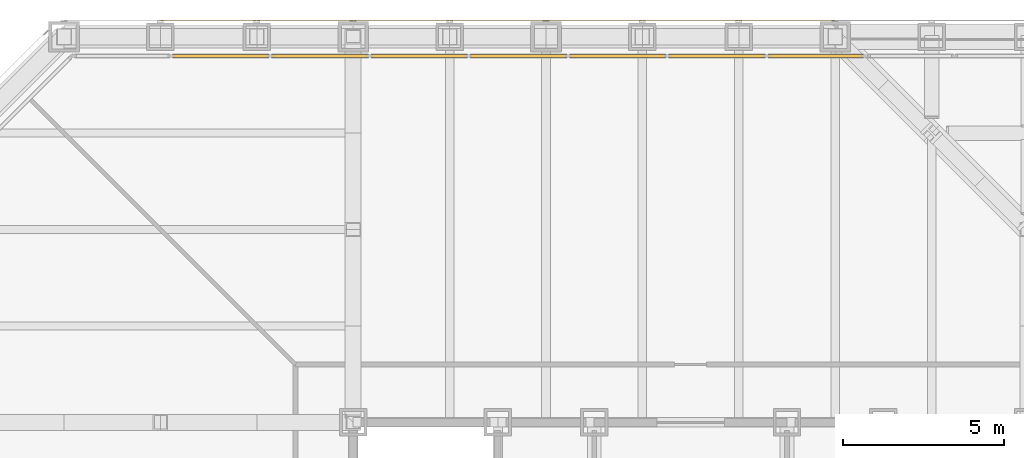
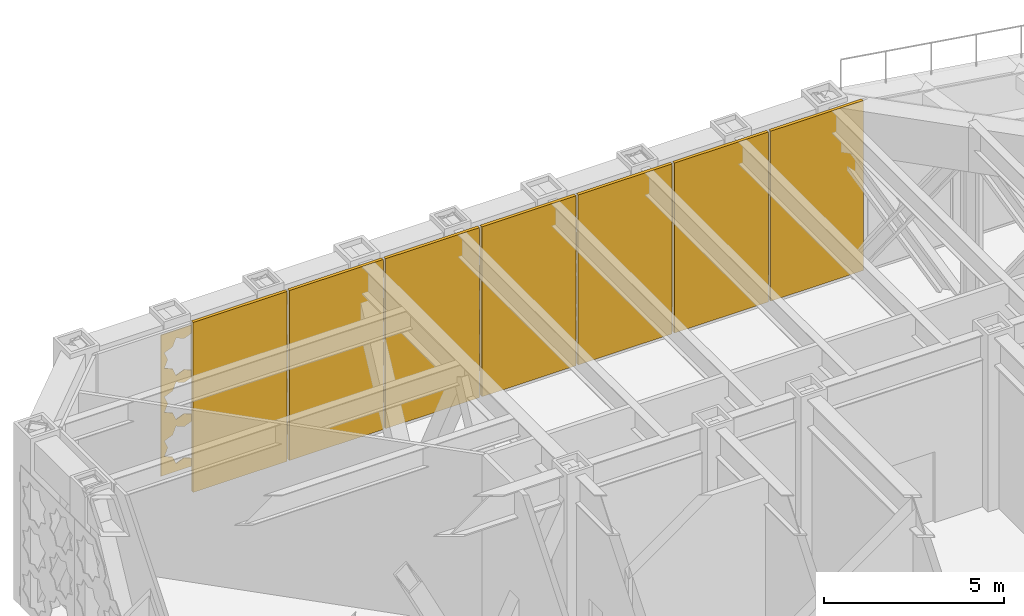
# One storey, part 29 of 31: 7 coverings, 7 shading devices, 1 element without a shape of its own.
"""IFC4 building model written with IfcOpenShell, lengths in metres."""

from ifc_helpers import new_model, si_unit, direction, frame, origin, origin_2d, place, context, subcontext, project, spatial, polyline, rectangle, outline, extrude, material, layer, layer_set, type_object, element, aggregate, save


model = new_model("IFC4")

# Units and contexts
model_context = context("Model", 3, precision=1e-05, world=origin(), true_north=direction((0.0, 1.0)))
body_context = subcontext(model_context, "Body", "Model", "MODEL_VIEW")
ifc_project = project(units=[si_unit("LENGTHUNIT", "METRE"), si_unit("AREAUNIT", "SQUARE_METRE"), si_unit("VOLUMEUNIT", "CUBIC_METRE"), si_unit("PLANEANGLEUNIT", "RADIAN"), si_unit("MASSUNIT", "GRAM", prefix="KILO")], contexts=[model_context])

# Site, building, storey
site_placement = place(None, origin())
site = spatial("IfcSite", under=ifc_project, at=site_placement, CompositionType="ELEMENT")
building_placement = place(site_placement, origin())
building = spatial("IfcBuilding", under=site, at=building_placement, Name="Chuquiago Exchange Tower", CompositionType="ELEMENT")
storey_placement = place(building_placement, frame((0.0, 0.0, 96.300048828125)))
storey = spatial("IfcBuildingStorey", under=building, at=storey_placement, Name="L20", CompositionType="ELEMENT", Elevation=96.300048828125)

# Curtain wall, shading devices
ifc_material_1 = material(Name="Aluminium curtain wall system", Category="aluminium")
ifc_layer_1 = layer(ifc_material_1, 0.199951171875)
ifc_layer_set_1 = layer_set([ifc_layer_1], Name="CW6 plant floor louvre wall")
curtain_wall_type = type_object("IfcCurtainWallType", Name="CW6 plant floor louvre wall", PredefinedType="NOTDEFINED", material=ifc_layer_set_1)
curtain_wall_placement = place(storey_placement, origin())
curtain_wall = element("IfcCurtainWall", 1, at=curtain_wall_placement, inside=storey, type_object=curtain_wall_type, Name="CW6 curtain wall L20", PredefinedType="NOTDEFINED")
ifc_material_2 = material(Name="Aluminium louvre", Category="aluminium")
ifc_layer_2 = layer(ifc_material_2, 0.10009765625)
ifc_layer_set_2 = layer_set([ifc_layer_2], Name="CW6-P louvre panel 100")
shading_device_type = type_object("IfcShadingDeviceType", Name="CW6-P louvre panel 100", PredefinedType="USERDEFINED", material=ifc_layer_set_2)
shading_device_1_placement = place(storey_placement, frame((26.390869140625, 44.39990234375, 0.0751953125), z_axis=(0.0, 0.0, 1.0), x_axis=(-1.0, 0.0, 0.0)))
shading_device_1 = element("IfcShadingDevice", 2, at=shading_device_1_placement, type_object=shading_device_type, Name="CW6 panel 1.1", ObjectType="LOUVER", PredefinedType="USERDEFINED", context=body_context, shape_type="SweptSolid", body=[
    extrude(rectangle(XDim=2.9755859375, YDim=0.10009765625, at=origin_2d()), origin(), (0.0, 0.0, 1.0), 5.764892578125),
])
shading_device_2_placement = place(storey_placement, frame((23.3212890625, 44.39990234375, 0.0751953125), z_axis=(0.0, 0.0, 1.0), x_axis=(-1.0, 0.0, 0.0)))
shading_device_2 = element("IfcShadingDevice", 3, at=shading_device_2_placement, type_object=shading_device_type, Name="CW6 panel 2.1", ObjectType="LOUVER", PredefinedType="USERDEFINED", context=body_context, shape_type="SweptSolid", body=[
    extrude(rectangle(XDim=3.01318359375, YDim=0.10009765625, at=origin_2d()), origin(), (0.0, 0.0, 1.0), 5.764892578125),
])
shading_device_3_placement = place(storey_placement, frame((20.233154296875, 44.39990234375, 0.0751953125), z_axis=(0.0, 0.0, 1.0), x_axis=(-1.0, 0.0, 0.0)))
shading_device_3 = element("IfcShadingDevice", 4, at=shading_device_3_placement, type_object=shading_device_type, Name="CW6 panel 3.1", ObjectType="LOUVER", PredefinedType="USERDEFINED", context=body_context, shape_type="SweptSolid", body=[
    extrude(rectangle(XDim=3.01318359375, YDim=0.10009765625, at=origin_2d()), origin(), (0.0, 0.0, 1.0), 5.764892578125),
])
shading_device_4_placement = place(storey_placement, frame((17.14501953125, 44.39990234375, 0.0751953125), z_axis=(0.0, 0.0, 1.0), x_axis=(-1.0, 0.0, 0.0)))
shading_device_4 = element("IfcShadingDevice", 5, at=shading_device_4_placement, type_object=shading_device_type, Name="CW6 panel 4.1", ObjectType="LOUVER", PredefinedType="USERDEFINED", context=body_context, shape_type="SweptSolid", body=[
    extrude(rectangle(XDim=3.01318359375, YDim=0.10009765625, at=origin_2d()), origin(), (0.0, 0.0, 1.0), 5.764892578125),
])
shading_device_5_placement = place(storey_placement, frame((14.056884765625, 44.39990234375, 0.0751953125), z_axis=(0.0, 0.0, 1.0), x_axis=(-1.0, 0.0, 0.0)))
shading_device_5 = element("IfcShadingDevice", 6, at=shading_device_5_placement, type_object=shading_device_type, Name="CW6 panel 5.1", ObjectType="LOUVER", PredefinedType="USERDEFINED", context=body_context, shape_type="SweptSolid", body=[
    extrude(rectangle(XDim=3.01318359375, YDim=0.10009765625, at=origin_2d()), origin(), (0.0, 0.0, 1.0), 5.764892578125),
])
shading_device_6_placement = place(storey_placement, frame((10.96875, 44.39990234375, 0.0751953125), z_axis=(0.0, 0.0, 1.0), x_axis=(-1.0, 0.0, 0.0)))
shading_device_6 = element("IfcShadingDevice", 7, at=shading_device_6_placement, type_object=shading_device_type, Name="CW6 panel 6.1", ObjectType="LOUVER", PredefinedType="USERDEFINED", context=body_context, shape_type="SweptSolid", body=[
    extrude(rectangle(XDim=3.01318359375, YDim=0.10009765625, at=origin_2d()), origin(), (0.0, 0.0, 1.0), 5.764892578125),
])
shading_device_7_placement = place(storey_placement, frame((7.880615234375, 44.39990234375, 0.0751953125), z_axis=(0.0, 0.0, 1.0), x_axis=(-1.0, 0.0, 0.0)))
shading_device_7 = element("IfcShadingDevice", 8, at=shading_device_7_placement, type_object=shading_device_type, Name="CW6 panel 7.1", ObjectType="LOUVER", PredefinedType="USERDEFINED", context=body_context, shape_type="SweptSolid", body=[
    extrude(rectangle(XDim=3.01318359375, YDim=0.10009765625, at=origin_2d()), origin(), (0.0, 0.0, 1.0), 5.764892578125),
])
aggregate(curtain_wall, [shading_device_1, shading_device_2, shading_device_3, shading_device_4, shading_device_5, shading_device_6, shading_device_7])

# Coverings
ifc_material_3 = material(Name="Anodised aluminium, pale", Category="aluminium")
ifc_layer_3 = layer(ifc_material_3, 0.02001953125)
ifc_layer_set_3 = layer_set([ifc_layer_3], Name="GC1 girih cladding panel 20")
covering_type = type_object("IfcCoveringType", Name="GC1 girih cladding panel 20", PredefinedType="CLADDING", material=ifc_layer_set_3)
covering_1_placement = place(storey_placement, frame((26.9951171875, 45.5, 0.050048828125), z_axis=(0.0, 0.0, 1.0), x_axis=(-1.0, 0.0, 0.0)))
element("IfcCovering", 9, at=covering_1_placement, inside=storey, type_object=covering_type, Name="Girih cladding panel L20 N 6", PredefinedType="CLADDING", context=body_context, shape_type="SweptSolid", body=[
    extrude(outline(polyline([(0.0, 0.0), (2.989990234375, 0.0), (2.989990234375, 4.789794921875), (0.0, 4.789794921875), (0.0, 0.0)]), holes=[polyline([(1.27392578125, 0.89990234375), (1.3828125, 1.1630859375), (1.11962890625, 1.272216796875), (1.0107421875, 1.535400390625), (0.74755859375, 1.42626953125), (0.484375, 1.535400390625), (0.375244140625, 1.272216796875), (0.112060546875, 1.1630859375), (0.22119140625, 0.89990234375), (0.112060546875, 0.63671875), (0.375244140625, 0.527587890625), (0.484375, 0.264404296875), (0.74755859375, 0.37353515625), (1.0107421875, 0.264404296875), (1.11962890625, 0.527587890625), (1.3828125, 0.63671875), (1.27392578125, 0.89990234375)]), polyline([(2.768798828125, 0.89990234375), (2.8779296875, 1.1630859375), (2.61474609375, 1.272216796875), (2.505615234375, 1.535400390625), (2.242431640625, 1.42626953125), (1.979248046875, 1.535400390625), (1.870361328125, 1.272216796875), (1.607177734375, 1.1630859375), (1.716064453125, 0.89990234375), (1.607177734375, 0.63671875), (1.870361328125, 0.527587890625), (1.979248046875, 0.264404296875), (2.242431640625, 0.37353515625), (2.505615234375, 0.264404296875), (2.61474609375, 0.527587890625), (2.8779296875, 0.63671875), (2.768798828125, 0.89990234375)]), polyline([(1.27392578125, 2.39501953125), (1.3828125, 2.658203125), (1.11962890625, 2.76708984375), (1.0107421875, 3.0302734375), (0.74755859375, 2.92138671875), (0.484375, 3.0302734375), (0.375244140625, 2.76708984375), (0.112060546875, 2.658203125), (0.22119140625, 2.39501953125), (0.112060546875, 2.131591796875), (0.375244140625, 2.022705078125), (0.484375, 1.759521484375), (0.74755859375, 1.868408203125), (1.0107421875, 1.759521484375), (1.11962890625, 2.022705078125), (1.3828125, 2.131591796875), (1.27392578125, 2.39501953125)]), polyline([(2.768798828125, 2.39501953125), (2.8779296875, 2.658203125), (2.61474609375, 2.76708984375), (2.505615234375, 3.0302734375), (2.242431640625, 2.92138671875), (1.979248046875, 3.0302734375), (1.870361328125, 2.76708984375), (1.607177734375, 2.658203125), (1.716064453125, 2.39501953125), (1.607177734375, 2.131591796875), (1.870361328125, 2.022705078125), (1.979248046875, 1.759521484375), (2.242431640625, 1.868408203125), (2.505615234375, 1.759521484375), (2.61474609375, 2.022705078125), (2.8779296875, 2.131591796875), (2.768798828125, 2.39501953125)]), polyline([(1.27392578125, 3.889892578125), (1.3828125, 4.153076171875), (1.11962890625, 4.26220703125), (1.0107421875, 4.525390625), (0.74755859375, 4.416259765625), (0.484375, 4.525390625), (0.375244140625, 4.26220703125), (0.112060546875, 4.153076171875), (0.22119140625, 3.889892578125), (0.112060546875, 3.626708984375), (0.375244140625, 3.517822265625), (0.484375, 3.25439453125), (0.74755859375, 3.363525390625), (1.0107421875, 3.25439453125), (1.11962890625, 3.517822265625), (1.3828125, 3.626708984375), (1.27392578125, 3.889892578125)]), polyline([(2.768798828125, 3.889892578125), (2.8779296875, 4.153076171875), (2.61474609375, 4.26220703125), (2.505615234375, 4.525390625), (2.242431640625, 4.416259765625), (1.979248046875, 4.525390625), (1.870361328125, 4.26220703125), (1.607177734375, 4.153076171875), (1.716064453125, 3.889892578125), (1.607177734375, 3.626708984375), (1.870361328125, 3.517822265625), (1.979248046875, 3.25439453125), (2.242431640625, 3.363525390625), (2.505615234375, 3.25439453125), (2.61474609375, 3.517822265625), (2.8779296875, 3.626708984375), (2.768798828125, 3.889892578125)])]), frame((0.0, 0.0, 0.0), z_axis=(0.0, -1.0, 0.0), x_axis=(1.0, 0.0, 0.0)), (0.0, 0.0, 1.0), 0.02001953125),
])
covering_2_placement = place(storey_placement, frame((23.9951171875, 45.5, 0.050048828125), z_axis=(0.0, 0.0, 1.0), x_axis=(-1.0, 0.0, 0.0)))
element("IfcCovering", 10, at=covering_2_placement, inside=storey, type_object=covering_type, Name="Girih cladding panel L20 N 7", PredefinedType="CLADDING", context=body_context, shape_type="SweptSolid", body=[
    extrude(outline(polyline([(0.0, 0.0), (2.989990234375, 0.0), (2.989990234375, 4.789794921875), (0.0, 4.789794921875), (0.0, 0.0)]), holes=[polyline([(1.27392578125, 0.89990234375), (1.3828125, 1.1630859375), (1.11962890625, 1.272216796875), (1.0107421875, 1.535400390625), (0.74755859375, 1.42626953125), (0.484375, 1.535400390625), (0.375244140625, 1.272216796875), (0.112060546875, 1.1630859375), (0.22119140625, 0.89990234375), (0.112060546875, 0.63671875), (0.375244140625, 0.527587890625), (0.484375, 0.264404296875), (0.74755859375, 0.37353515625), (1.0107421875, 0.264404296875), (1.11962890625, 0.527587890625), (1.3828125, 0.63671875), (1.27392578125, 0.89990234375)]), polyline([(2.768798828125, 0.89990234375), (2.8779296875, 1.1630859375), (2.61474609375, 1.272216796875), (2.505615234375, 1.535400390625), (2.242431640625, 1.42626953125), (1.979248046875, 1.535400390625), (1.870361328125, 1.272216796875), (1.607177734375, 1.1630859375), (1.716064453125, 0.89990234375), (1.607177734375, 0.63671875), (1.870361328125, 0.527587890625), (1.979248046875, 0.264404296875), (2.242431640625, 0.37353515625), (2.505615234375, 0.264404296875), (2.61474609375, 0.527587890625), (2.8779296875, 0.63671875), (2.768798828125, 0.89990234375)]), polyline([(1.27392578125, 2.39501953125), (1.3828125, 2.658203125), (1.11962890625, 2.76708984375), (1.0107421875, 3.0302734375), (0.74755859375, 2.92138671875), (0.484375, 3.0302734375), (0.375244140625, 2.76708984375), (0.112060546875, 2.658203125), (0.22119140625, 2.39501953125), (0.112060546875, 2.131591796875), (0.375244140625, 2.022705078125), (0.484375, 1.759521484375), (0.74755859375, 1.868408203125), (1.0107421875, 1.759521484375), (1.11962890625, 2.022705078125), (1.3828125, 2.131591796875), (1.27392578125, 2.39501953125)]), polyline([(2.768798828125, 2.39501953125), (2.8779296875, 2.658203125), (2.61474609375, 2.76708984375), (2.505615234375, 3.0302734375), (2.242431640625, 2.92138671875), (1.979248046875, 3.0302734375), (1.870361328125, 2.76708984375), (1.607177734375, 2.658203125), (1.716064453125, 2.39501953125), (1.607177734375, 2.131591796875), (1.870361328125, 2.022705078125), (1.979248046875, 1.759521484375), (2.242431640625, 1.868408203125), (2.505615234375, 1.759521484375), (2.61474609375, 2.022705078125), (2.8779296875, 2.131591796875), (2.768798828125, 2.39501953125)]), polyline([(1.27392578125, 3.889892578125), (1.3828125, 4.153076171875), (1.11962890625, 4.26220703125), (1.0107421875, 4.525390625), (0.74755859375, 4.416259765625), (0.484375, 4.525390625), (0.375244140625, 4.26220703125), (0.112060546875, 4.153076171875), (0.22119140625, 3.889892578125), (0.112060546875, 3.626708984375), (0.375244140625, 3.517822265625), (0.484375, 3.25439453125), (0.74755859375, 3.363525390625), (1.0107421875, 3.25439453125), (1.11962890625, 3.517822265625), (1.3828125, 3.626708984375), (1.27392578125, 3.889892578125)]), polyline([(2.768798828125, 3.889892578125), (2.8779296875, 4.153076171875), (2.61474609375, 4.26220703125), (2.505615234375, 4.525390625), (2.242431640625, 4.416259765625), (1.979248046875, 4.525390625), (1.870361328125, 4.26220703125), (1.607177734375, 4.153076171875), (1.716064453125, 3.889892578125), (1.607177734375, 3.626708984375), (1.870361328125, 3.517822265625), (1.979248046875, 3.25439453125), (2.242431640625, 3.363525390625), (2.505615234375, 3.25439453125), (2.61474609375, 3.517822265625), (2.8779296875, 3.626708984375), (2.768798828125, 3.889892578125)])]), frame((0.0, 0.0, 0.0), z_axis=(0.0, -1.0, 0.0), x_axis=(1.0, 0.0, 0.0)), (0.0, 0.0, 1.0), 0.02001953125),
])
covering_3_placement = place(storey_placement, frame((20.9951171875, 45.5, 0.050048828125), z_axis=(0.0, 0.0, 1.0), x_axis=(-1.0, 0.0, 0.0)))
element("IfcCovering", 11, at=covering_3_placement, inside=storey, type_object=covering_type, Name="Girih cladding panel L20 N 8", PredefinedType="CLADDING", context=body_context, shape_type="SweptSolid", body=[
    extrude(outline(polyline([(0.0, 0.0), (2.989990234375, 0.0), (2.989990234375, 4.789794921875), (0.0, 4.789794921875), (0.0, 0.0)]), holes=[polyline([(1.27392578125, 0.89990234375), (1.3828125, 1.1630859375), (1.11962890625, 1.272216796875), (1.0107421875, 1.535400390625), (0.74755859375, 1.42626953125), (0.484375, 1.535400390625), (0.375244140625, 1.272216796875), (0.112060546875, 1.1630859375), (0.22119140625, 0.89990234375), (0.112060546875, 0.63671875), (0.375244140625, 0.527587890625), (0.484375, 0.264404296875), (0.74755859375, 0.37353515625), (1.0107421875, 0.264404296875), (1.11962890625, 0.527587890625), (1.3828125, 0.63671875), (1.27392578125, 0.89990234375)]), polyline([(2.768798828125, 0.89990234375), (2.8779296875, 1.1630859375), (2.61474609375, 1.272216796875), (2.505615234375, 1.535400390625), (2.242431640625, 1.42626953125), (1.979248046875, 1.535400390625), (1.870361328125, 1.272216796875), (1.607177734375, 1.1630859375), (1.716064453125, 0.89990234375), (1.607177734375, 0.63671875), (1.870361328125, 0.527587890625), (1.979248046875, 0.264404296875), (2.242431640625, 0.37353515625), (2.505615234375, 0.264404296875), (2.61474609375, 0.527587890625), (2.8779296875, 0.63671875), (2.768798828125, 0.89990234375)]), polyline([(1.27392578125, 2.39501953125), (1.3828125, 2.658203125), (1.11962890625, 2.76708984375), (1.0107421875, 3.0302734375), (0.74755859375, 2.92138671875), (0.484375, 3.0302734375), (0.375244140625, 2.76708984375), (0.112060546875, 2.658203125), (0.22119140625, 2.39501953125), (0.112060546875, 2.131591796875), (0.375244140625, 2.022705078125), (0.484375, 1.759521484375), (0.74755859375, 1.868408203125), (1.0107421875, 1.759521484375), (1.11962890625, 2.022705078125), (1.3828125, 2.131591796875), (1.27392578125, 2.39501953125)]), polyline([(2.768798828125, 2.39501953125), (2.8779296875, 2.658203125), (2.61474609375, 2.76708984375), (2.505615234375, 3.0302734375), (2.242431640625, 2.92138671875), (1.979248046875, 3.0302734375), (1.870361328125, 2.76708984375), (1.607177734375, 2.658203125), (1.716064453125, 2.39501953125), (1.607177734375, 2.131591796875), (1.870361328125, 2.022705078125), (1.979248046875, 1.759521484375), (2.242431640625, 1.868408203125), (2.505615234375, 1.759521484375), (2.61474609375, 2.022705078125), (2.8779296875, 2.131591796875), (2.768798828125, 2.39501953125)]), polyline([(1.27392578125, 3.889892578125), (1.3828125, 4.153076171875), (1.11962890625, 4.26220703125), (1.0107421875, 4.525390625), (0.74755859375, 4.416259765625), (0.484375, 4.525390625), (0.375244140625, 4.26220703125), (0.112060546875, 4.153076171875), (0.22119140625, 3.889892578125), (0.112060546875, 3.626708984375), (0.375244140625, 3.517822265625), (0.484375, 3.25439453125), (0.74755859375, 3.363525390625), (1.0107421875, 3.25439453125), (1.11962890625, 3.517822265625), (1.3828125, 3.626708984375), (1.27392578125, 3.889892578125)]), polyline([(2.768798828125, 3.889892578125), (2.8779296875, 4.153076171875), (2.61474609375, 4.26220703125), (2.505615234375, 4.525390625), (2.242431640625, 4.416259765625), (1.979248046875, 4.525390625), (1.870361328125, 4.26220703125), (1.607177734375, 4.153076171875), (1.716064453125, 3.889892578125), (1.607177734375, 3.626708984375), (1.870361328125, 3.517822265625), (1.979248046875, 3.25439453125), (2.242431640625, 3.363525390625), (2.505615234375, 3.25439453125), (2.61474609375, 3.517822265625), (2.8779296875, 3.626708984375), (2.768798828125, 3.889892578125)])]), frame((0.0, 0.0, 0.0), z_axis=(0.0, -1.0, 0.0), x_axis=(1.0, 0.0, 0.0)), (0.0, 0.0, 1.0), 0.02001953125),
])
covering_4_placement = place(storey_placement, frame((17.9951171875, 45.5, 0.050048828125), z_axis=(0.0, 0.0, 1.0), x_axis=(-1.0, 0.0, 0.0)))
element("IfcCovering", 12, at=covering_4_placement, inside=storey, type_object=covering_type, Name="Girih cladding panel L20 N 9", PredefinedType="CLADDING", context=body_context, shape_type="SweptSolid", body=[
    extrude(outline(polyline([(0.0, 0.0), (2.989990234375, 0.0), (2.989990234375, 4.789794921875), (0.0, 4.789794921875), (0.0, 0.0)]), holes=[polyline([(1.27392578125, 0.89990234375), (1.3828125, 1.1630859375), (1.11962890625, 1.272216796875), (1.0107421875, 1.535400390625), (0.74755859375, 1.42626953125), (0.484375, 1.535400390625), (0.375244140625, 1.272216796875), (0.112060546875, 1.1630859375), (0.22119140625, 0.89990234375), (0.112060546875, 0.63671875), (0.375244140625, 0.527587890625), (0.484375, 0.264404296875), (0.74755859375, 0.37353515625), (1.0107421875, 0.264404296875), (1.11962890625, 0.527587890625), (1.3828125, 0.63671875), (1.27392578125, 0.89990234375)]), polyline([(2.768798828125, 0.89990234375), (2.8779296875, 1.1630859375), (2.61474609375, 1.272216796875), (2.505615234375, 1.535400390625), (2.242431640625, 1.42626953125), (1.979248046875, 1.535400390625), (1.870361328125, 1.272216796875), (1.607177734375, 1.1630859375), (1.716064453125, 0.89990234375), (1.607177734375, 0.63671875), (1.870361328125, 0.527587890625), (1.979248046875, 0.264404296875), (2.242431640625, 0.37353515625), (2.505615234375, 0.264404296875), (2.61474609375, 0.527587890625), (2.8779296875, 0.63671875), (2.768798828125, 0.89990234375)]), polyline([(1.27392578125, 2.39501953125), (1.3828125, 2.658203125), (1.11962890625, 2.76708984375), (1.0107421875, 3.0302734375), (0.74755859375, 2.92138671875), (0.484375, 3.0302734375), (0.375244140625, 2.76708984375), (0.112060546875, 2.658203125), (0.22119140625, 2.39501953125), (0.112060546875, 2.131591796875), (0.375244140625, 2.022705078125), (0.484375, 1.759521484375), (0.74755859375, 1.868408203125), (1.0107421875, 1.759521484375), (1.11962890625, 2.022705078125), (1.3828125, 2.131591796875), (1.27392578125, 2.39501953125)]), polyline([(2.768798828125, 2.39501953125), (2.8779296875, 2.658203125), (2.61474609375, 2.76708984375), (2.505615234375, 3.0302734375), (2.242431640625, 2.92138671875), (1.979248046875, 3.0302734375), (1.870361328125, 2.76708984375), (1.607177734375, 2.658203125), (1.716064453125, 2.39501953125), (1.607177734375, 2.131591796875), (1.870361328125, 2.022705078125), (1.979248046875, 1.759521484375), (2.242431640625, 1.868408203125), (2.505615234375, 1.759521484375), (2.61474609375, 2.022705078125), (2.8779296875, 2.131591796875), (2.768798828125, 2.39501953125)]), polyline([(1.27392578125, 3.889892578125), (1.3828125, 4.153076171875), (1.11962890625, 4.26220703125), (1.0107421875, 4.525390625), (0.74755859375, 4.416259765625), (0.484375, 4.525390625), (0.375244140625, 4.26220703125), (0.112060546875, 4.153076171875), (0.22119140625, 3.889892578125), (0.112060546875, 3.626708984375), (0.375244140625, 3.517822265625), (0.484375, 3.25439453125), (0.74755859375, 3.363525390625), (1.0107421875, 3.25439453125), (1.11962890625, 3.517822265625), (1.3828125, 3.626708984375), (1.27392578125, 3.889892578125)]), polyline([(2.768798828125, 3.889892578125), (2.8779296875, 4.153076171875), (2.61474609375, 4.26220703125), (2.505615234375, 4.525390625), (2.242431640625, 4.416259765625), (1.979248046875, 4.525390625), (1.870361328125, 4.26220703125), (1.607177734375, 4.153076171875), (1.716064453125, 3.889892578125), (1.607177734375, 3.626708984375), (1.870361328125, 3.517822265625), (1.979248046875, 3.25439453125), (2.242431640625, 3.363525390625), (2.505615234375, 3.25439453125), (2.61474609375, 3.517822265625), (2.8779296875, 3.626708984375), (2.768798828125, 3.889892578125)])]), frame((0.0, 0.0, 0.0), z_axis=(0.0, -1.0, 0.0), x_axis=(1.0, 0.0, 0.0)), (0.0, 0.0, 1.0), 0.02001953125),
])
covering_5_placement = place(storey_placement, frame((14.9951171875, 45.5, 0.050048828125), z_axis=(0.0, 0.0, 1.0), x_axis=(-1.0, 0.0, 0.0)))
element("IfcCovering", 13, at=covering_5_placement, inside=storey, type_object=covering_type, Name="Girih cladding panel L20 N 10", PredefinedType="CLADDING", context=body_context, shape_type="SweptSolid", body=[
    extrude(outline(polyline([(0.0, 0.0), (2.989990234375, 0.0), (2.989990234375, 4.789794921875), (0.0, 4.789794921875), (0.0, 0.0)]), holes=[polyline([(1.27392578125, 0.89990234375), (1.3828125, 1.1630859375), (1.11962890625, 1.272216796875), (1.0107421875, 1.535400390625), (0.74755859375, 1.42626953125), (0.484375, 1.535400390625), (0.375244140625, 1.272216796875), (0.112060546875, 1.1630859375), (0.22119140625, 0.89990234375), (0.112060546875, 0.63671875), (0.375244140625, 0.527587890625), (0.484375, 0.264404296875), (0.74755859375, 0.37353515625), (1.0107421875, 0.264404296875), (1.11962890625, 0.527587890625), (1.3828125, 0.63671875), (1.27392578125, 0.89990234375)]), polyline([(2.768798828125, 0.89990234375), (2.8779296875, 1.1630859375), (2.61474609375, 1.272216796875), (2.505615234375, 1.535400390625), (2.242431640625, 1.42626953125), (1.979248046875, 1.535400390625), (1.870361328125, 1.272216796875), (1.607177734375, 1.1630859375), (1.716064453125, 0.89990234375), (1.607177734375, 0.63671875), (1.870361328125, 0.527587890625), (1.979248046875, 0.264404296875), (2.242431640625, 0.37353515625), (2.505615234375, 0.264404296875), (2.61474609375, 0.527587890625), (2.8779296875, 0.63671875), (2.768798828125, 0.89990234375)]), polyline([(1.27392578125, 2.39501953125), (1.3828125, 2.658203125), (1.11962890625, 2.76708984375), (1.0107421875, 3.0302734375), (0.74755859375, 2.92138671875), (0.484375, 3.0302734375), (0.375244140625, 2.76708984375), (0.112060546875, 2.658203125), (0.22119140625, 2.39501953125), (0.112060546875, 2.131591796875), (0.375244140625, 2.022705078125), (0.484375, 1.759521484375), (0.74755859375, 1.868408203125), (1.0107421875, 1.759521484375), (1.11962890625, 2.022705078125), (1.3828125, 2.131591796875), (1.27392578125, 2.39501953125)]), polyline([(2.768798828125, 2.39501953125), (2.8779296875, 2.658203125), (2.61474609375, 2.76708984375), (2.505615234375, 3.0302734375), (2.242431640625, 2.92138671875), (1.979248046875, 3.0302734375), (1.870361328125, 2.76708984375), (1.607177734375, 2.658203125), (1.716064453125, 2.39501953125), (1.607177734375, 2.131591796875), (1.870361328125, 2.022705078125), (1.979248046875, 1.759521484375), (2.242431640625, 1.868408203125), (2.505615234375, 1.759521484375), (2.61474609375, 2.022705078125), (2.8779296875, 2.131591796875), (2.768798828125, 2.39501953125)]), polyline([(1.27392578125, 3.889892578125), (1.3828125, 4.153076171875), (1.11962890625, 4.26220703125), (1.0107421875, 4.525390625), (0.74755859375, 4.416259765625), (0.484375, 4.525390625), (0.375244140625, 4.26220703125), (0.112060546875, 4.153076171875), (0.22119140625, 3.889892578125), (0.112060546875, 3.626708984375), (0.375244140625, 3.517822265625), (0.484375, 3.25439453125), (0.74755859375, 3.363525390625), (1.0107421875, 3.25439453125), (1.11962890625, 3.517822265625), (1.3828125, 3.626708984375), (1.27392578125, 3.889892578125)]), polyline([(2.768798828125, 3.889892578125), (2.8779296875, 4.153076171875), (2.61474609375, 4.26220703125), (2.505615234375, 4.525390625), (2.242431640625, 4.416259765625), (1.979248046875, 4.525390625), (1.870361328125, 4.26220703125), (1.607177734375, 4.153076171875), (1.716064453125, 3.889892578125), (1.607177734375, 3.626708984375), (1.870361328125, 3.517822265625), (1.979248046875, 3.25439453125), (2.242431640625, 3.363525390625), (2.505615234375, 3.25439453125), (2.61474609375, 3.517822265625), (2.8779296875, 3.626708984375), (2.768798828125, 3.889892578125)])]), frame((0.0, 0.0, 0.0), z_axis=(0.0, -1.0, 0.0), x_axis=(1.0, 0.0, 0.0)), (0.0, 0.0, 1.0), 0.02001953125),
])
covering_6_placement = place(storey_placement, frame((11.9951171875, 45.5, 0.050048828125), z_axis=(0.0, 0.0, 1.0), x_axis=(-1.0, 0.0, 0.0)))
element("IfcCovering", 14, at=covering_6_placement, inside=storey, type_object=covering_type, Name="Girih cladding panel L20 N 11", PredefinedType="CLADDING", context=body_context, shape_type="SweptSolid", body=[
    extrude(outline(polyline([(0.0, 0.0), (2.989990234375, 0.0), (2.989990234375, 4.789794921875), (0.0, 4.789794921875), (0.0, 0.0)]), holes=[polyline([(1.27392578125, 0.89990234375), (1.3828125, 1.1630859375), (1.11962890625, 1.272216796875), (1.0107421875, 1.535400390625), (0.74755859375, 1.42626953125), (0.484375, 1.535400390625), (0.375244140625, 1.272216796875), (0.112060546875, 1.1630859375), (0.22119140625, 0.89990234375), (0.112060546875, 0.63671875), (0.375244140625, 0.527587890625), (0.484375, 0.264404296875), (0.74755859375, 0.37353515625), (1.0107421875, 0.264404296875), (1.11962890625, 0.527587890625), (1.3828125, 0.63671875), (1.27392578125, 0.89990234375)]), polyline([(2.768798828125, 0.89990234375), (2.8779296875, 1.1630859375), (2.61474609375, 1.272216796875), (2.505615234375, 1.535400390625), (2.242431640625, 1.42626953125), (1.979248046875, 1.535400390625), (1.870361328125, 1.272216796875), (1.607177734375, 1.1630859375), (1.716064453125, 0.89990234375), (1.607177734375, 0.63671875), (1.870361328125, 0.527587890625), (1.979248046875, 0.264404296875), (2.242431640625, 0.37353515625), (2.505615234375, 0.264404296875), (2.61474609375, 0.527587890625), (2.8779296875, 0.63671875), (2.768798828125, 0.89990234375)]), polyline([(1.27392578125, 2.39501953125), (1.3828125, 2.658203125), (1.11962890625, 2.76708984375), (1.0107421875, 3.0302734375), (0.74755859375, 2.92138671875), (0.484375, 3.0302734375), (0.375244140625, 2.76708984375), (0.112060546875, 2.658203125), (0.22119140625, 2.39501953125), (0.112060546875, 2.131591796875), (0.375244140625, 2.022705078125), (0.484375, 1.759521484375), (0.74755859375, 1.868408203125), (1.0107421875, 1.759521484375), (1.11962890625, 2.022705078125), (1.3828125, 2.131591796875), (1.27392578125, 2.39501953125)]), polyline([(2.768798828125, 2.39501953125), (2.8779296875, 2.658203125), (2.61474609375, 2.76708984375), (2.505615234375, 3.0302734375), (2.242431640625, 2.92138671875), (1.979248046875, 3.0302734375), (1.870361328125, 2.76708984375), (1.607177734375, 2.658203125), (1.716064453125, 2.39501953125), (1.607177734375, 2.131591796875), (1.870361328125, 2.022705078125), (1.979248046875, 1.759521484375), (2.242431640625, 1.868408203125), (2.505615234375, 1.759521484375), (2.61474609375, 2.022705078125), (2.8779296875, 2.131591796875), (2.768798828125, 2.39501953125)]), polyline([(1.27392578125, 3.889892578125), (1.3828125, 4.153076171875), (1.11962890625, 4.26220703125), (1.0107421875, 4.525390625), (0.74755859375, 4.416259765625), (0.484375, 4.525390625), (0.375244140625, 4.26220703125), (0.112060546875, 4.153076171875), (0.22119140625, 3.889892578125), (0.112060546875, 3.626708984375), (0.375244140625, 3.517822265625), (0.484375, 3.25439453125), (0.74755859375, 3.363525390625), (1.0107421875, 3.25439453125), (1.11962890625, 3.517822265625), (1.3828125, 3.626708984375), (1.27392578125, 3.889892578125)]), polyline([(2.768798828125, 3.889892578125), (2.8779296875, 4.153076171875), (2.61474609375, 4.26220703125), (2.505615234375, 4.525390625), (2.242431640625, 4.416259765625), (1.979248046875, 4.525390625), (1.870361328125, 4.26220703125), (1.607177734375, 4.153076171875), (1.716064453125, 3.889892578125), (1.607177734375, 3.626708984375), (1.870361328125, 3.517822265625), (1.979248046875, 3.25439453125), (2.242431640625, 3.363525390625), (2.505615234375, 3.25439453125), (2.61474609375, 3.517822265625), (2.8779296875, 3.626708984375), (2.768798828125, 3.889892578125)])]), frame((0.0, 0.0, 0.0), z_axis=(0.0, -1.0, 0.0), x_axis=(1.0, 0.0, 0.0)), (0.0, 0.0, 1.0), 0.02001953125),
])
covering_7_placement = place(storey_placement, frame((8.9951171875, 45.5, 0.050048828125), z_axis=(0.0, 0.0, 1.0), x_axis=(-1.0, 0.0, 0.0)))
element("IfcCovering", 15, at=covering_7_placement, inside=storey, type_object=covering_type, Name="Girih cladding panel L20 N 12", PredefinedType="CLADDING", context=body_context, shape_type="SweptSolid", body=[
    extrude(outline(polyline([(0.0, 0.0), (2.989990234375, 0.0), (2.989990234375, 4.789794921875), (0.0, 4.789794921875), (0.0, 0.0)]), holes=[polyline([(1.27392578125, 0.89990234375), (1.3828125, 1.1630859375), (1.11962890625, 1.272216796875), (1.0107421875, 1.535400390625), (0.74755859375, 1.42626953125), (0.484375, 1.535400390625), (0.375244140625, 1.272216796875), (0.112060546875, 1.1630859375), (0.22119140625, 0.89990234375), (0.112060546875, 0.63671875), (0.375244140625, 0.527587890625), (0.484375, 0.264404296875), (0.74755859375, 0.37353515625), (1.0107421875, 0.264404296875), (1.11962890625, 0.527587890625), (1.3828125, 0.63671875), (1.27392578125, 0.89990234375)]), polyline([(2.768798828125, 0.89990234375), (2.8779296875, 1.1630859375), (2.61474609375, 1.272216796875), (2.505615234375, 1.535400390625), (2.242431640625, 1.42626953125), (1.979248046875, 1.535400390625), (1.870361328125, 1.272216796875), (1.607177734375, 1.1630859375), (1.716064453125, 0.89990234375), (1.607177734375, 0.63671875), (1.870361328125, 0.527587890625), (1.979248046875, 0.264404296875), (2.242431640625, 0.37353515625), (2.505615234375, 0.264404296875), (2.61474609375, 0.527587890625), (2.8779296875, 0.63671875), (2.768798828125, 0.89990234375)]), polyline([(1.27392578125, 2.39501953125), (1.3828125, 2.658203125), (1.11962890625, 2.76708984375), (1.0107421875, 3.0302734375), (0.74755859375, 2.92138671875), (0.484375, 3.0302734375), (0.375244140625, 2.76708984375), (0.112060546875, 2.658203125), (0.22119140625, 2.39501953125), (0.112060546875, 2.131591796875), (0.375244140625, 2.022705078125), (0.484375, 1.759521484375), (0.74755859375, 1.868408203125), (1.0107421875, 1.759521484375), (1.11962890625, 2.022705078125), (1.3828125, 2.131591796875), (1.27392578125, 2.39501953125)]), polyline([(2.768798828125, 2.39501953125), (2.8779296875, 2.658203125), (2.61474609375, 2.76708984375), (2.505615234375, 3.0302734375), (2.242431640625, 2.92138671875), (1.979248046875, 3.0302734375), (1.870361328125, 2.76708984375), (1.607177734375, 2.658203125), (1.716064453125, 2.39501953125), (1.607177734375, 2.131591796875), (1.870361328125, 2.022705078125), (1.979248046875, 1.759521484375), (2.242431640625, 1.868408203125), (2.505615234375, 1.759521484375), (2.61474609375, 2.022705078125), (2.8779296875, 2.131591796875), (2.768798828125, 2.39501953125)]), polyline([(1.27392578125, 3.889892578125), (1.3828125, 4.153076171875), (1.11962890625, 4.26220703125), (1.0107421875, 4.525390625), (0.74755859375, 4.416259765625), (0.484375, 4.525390625), (0.375244140625, 4.26220703125), (0.112060546875, 4.153076171875), (0.22119140625, 3.889892578125), (0.112060546875, 3.626708984375), (0.375244140625, 3.517822265625), (0.484375, 3.25439453125), (0.74755859375, 3.363525390625), (1.0107421875, 3.25439453125), (1.11962890625, 3.517822265625), (1.3828125, 3.626708984375), (1.27392578125, 3.889892578125)]), polyline([(2.768798828125, 3.889892578125), (2.8779296875, 4.153076171875), (2.61474609375, 4.26220703125), (2.505615234375, 4.525390625), (2.242431640625, 4.416259765625), (1.979248046875, 4.525390625), (1.870361328125, 4.26220703125), (1.607177734375, 4.153076171875), (1.716064453125, 3.889892578125), (1.607177734375, 3.626708984375), (1.870361328125, 3.517822265625), (1.979248046875, 3.25439453125), (2.242431640625, 3.363525390625), (2.505615234375, 3.25439453125), (2.61474609375, 3.517822265625), (2.8779296875, 3.626708984375), (2.768798828125, 3.889892578125)])]), frame((0.0, 0.0, 0.0), z_axis=(0.0, -1.0, 0.0), x_axis=(1.0, 0.0, 0.0)), (0.0, 0.0, 1.0), 0.02001953125),
])

save(model, "model.ifc")
